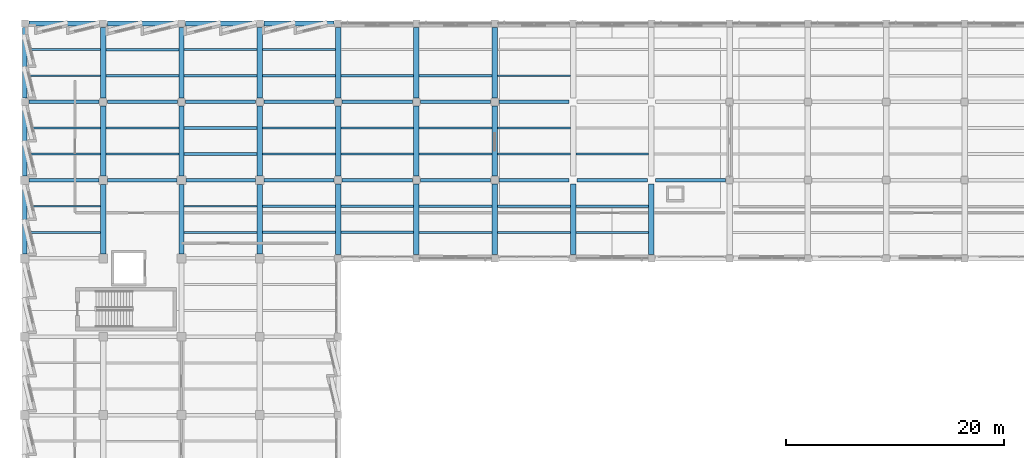
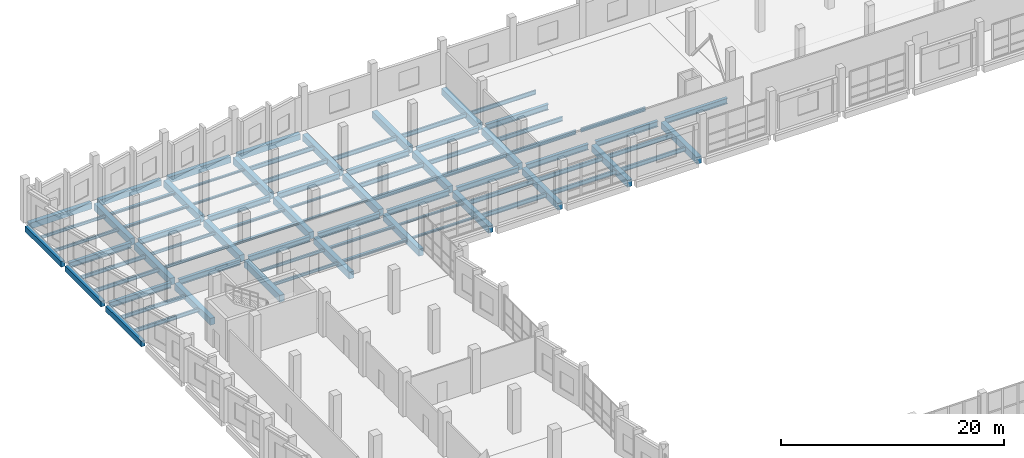
# One storey, part 51 of 127: 83 beams.
"""IFC4 building model written with IfcOpenShell, lengths in metres."""

from ifc_helpers import new_model, si_unit, direction, frame, origin, origin_2d, place, context, subcontext, project, spatial, rectangle, i_section, extrude, material, material_profile, profile_set, type_object, element, save


model = new_model("IFC4")

# Units and contexts
model_context = context("Model", 3, precision=1e-05, world=origin(), true_north=direction((0.0, 1.0)))
body_context = subcontext(model_context, "Body", "Model", "MODEL_VIEW")
ifc_project = project(units=[si_unit("LENGTHUNIT", "METRE"), si_unit("AREAUNIT", "SQUARE_METRE"), si_unit("VOLUMEUNIT", "CUBIC_METRE"), si_unit("PLANEANGLEUNIT", "RADIAN"), si_unit("MASSUNIT", "GRAM", prefix="KILO")], contexts=[model_context])

# Site, building, storey
site_placement = place(None, origin())
site = spatial("IfcSite", under=ifc_project, at=site_placement, CompositionType="ELEMENT")
building_placement = place(site_placement, origin())
building = spatial("IfcBuilding", under=site, at=building_placement, Name="Kalmorath City Hall", CompositionType="ELEMENT")
storey_placement = place(building_placement, frame((0.0, 0.0, 5.39990234375)))
storey = spatial("IfcBuildingStorey", under=building, at=storey_placement, Name="L01", CompositionType="ELEMENT", Elevation=5.39990234375)

# Beams
ifc_material_1 = material(Name="Concrete C40/50", Category="concrete")
ifc_material_profile_1 = material_profile(ifc_material_1, rectangle(XDim=0.39990234375, YDim=0.60009765625, at=origin_2d()), Name="RC-BM-400X600")
ifc_profile_set_1 = profile_set([ifc_material_profile_1], Name="Concrete C40/50")
beam_type_1 = type_object("IfcBeamType", Name="Concrete edge beam 400x600", PredefinedType="SPANDREL", material=ifc_profile_set_1)
beam_1_placement = place(storey_placement, frame((0.0, 94.0, -0.6240234375), z_axis=(0.0, 1.0, 0.0), x_axis=(-1.0, 0.0, 0.0)))
element("IfcBeam", 1, at=beam_1_placement, inside=storey, type_object=beam_type_1, Name="L01 girder CB6 Y1/14-15", PredefinedType="SPANDREL", context=body_context, shape_type="SweptSolid", body=[
    extrude(rectangle(XDim=0.39990234375, YDim=0.60009765625, at=origin_2d()), origin(), (0.0, 0.0, 1.0), 6.39990234375),
])
beam_2_placement = place(storey_placement, frame((0.0, 101.199951171875, -0.6240234375), z_axis=(0.0, 1.0, 0.0), x_axis=(-1.0, 0.0, 0.0)))
element("IfcBeam", 2, at=beam_2_placement, inside=storey, type_object=beam_type_1, Name="L01 girder CB6 Y1/15-16", PredefinedType="SPANDREL", context=body_context, shape_type="SweptSolid", body=[
    extrude(rectangle(XDim=0.39990234375, YDim=0.60009765625, at=origin_2d()), origin(), (0.0, 0.0, 1.0), 6.425048828125),
])
beam_3_placement = place(storey_placement, frame((0.0, 108.375, -0.6240234375), z_axis=(0.0, 1.0, 0.0), x_axis=(-1.0, 0.0, 0.0)))
element("IfcBeam", 3, at=beam_3_placement, inside=storey, type_object=beam_type_1, Name="L01 girder CB6 Y1/16-17", PredefinedType="SPANDREL", context=body_context, shape_type="SweptSolid", body=[
    extrude(rectangle(XDim=0.39990234375, YDim=0.60009765625, at=origin_2d()), origin(), (0.0, 0.0, 1.0), 6.449951171875),
])
ifc_material_2 = material(Name="Concrete C40/50", Category="concrete")
ifc_material_profile_2 = material_profile(ifc_material_2, rectangle(XDim=0.5, YDim=0.75, at=origin_2d()), Name="RC-BM-500X750")
ifc_profile_set_2 = profile_set([ifc_material_profile_2], Name="Concrete C40/50")
beam_type_2 = type_object("IfcBeamType", Name="Concrete floor beam 500x750", PredefinedType="BEAM", material=ifc_profile_set_2)
beam_4_placement = place(storey_placement, frame((7.199951171875, 94.0, -0.698974609375), z_axis=(0.0, 1.0, 0.0), x_axis=(-1.0, 0.0, 0.0)))
element("IfcBeam", 4, at=beam_4_placement, inside=storey, type_object=beam_type_2, Name="L01 girder CB3 Y2/14-15", PredefinedType="BEAM", context=body_context, shape_type="SweptSolid", body=[
    extrude(rectangle(XDim=0.5, YDim=0.75, at=origin_2d()), origin(), (0.0, 0.0, 1.0), 6.39990234375),
])
beam_5_placement = place(storey_placement, frame((7.199951171875, 101.199951171875, -0.698974609375), z_axis=(0.0, 1.0, 0.0), x_axis=(-1.0, 0.0, 0.0)))
element("IfcBeam", 5, at=beam_5_placement, inside=storey, type_object=beam_type_2, Name="L01 girder CB3 Y2/15-16", PredefinedType="BEAM", context=body_context, shape_type="SweptSolid", body=[
    extrude(rectangle(XDim=0.5, YDim=0.75, at=origin_2d()), origin(), (0.0, 0.0, 1.0), 6.425048828125),
])
beam_6_placement = place(storey_placement, frame((7.199951171875, 108.375, -0.698974609375), z_axis=(0.0, 1.0, 0.0), x_axis=(-1.0, 0.0, 0.0)))
element("IfcBeam", 6, at=beam_6_placement, inside=storey, type_object=beam_type_2, Name="L01 girder CB3 Y2/16-17", PredefinedType="BEAM", context=body_context, shape_type="SweptSolid", body=[
    extrude(rectangle(XDim=0.5, YDim=0.75, at=origin_2d()), origin(), (0.0, 0.0, 1.0), 6.449951171875),
])
beam_7_placement = place(storey_placement, frame((14.39990234375, 94.0, -0.698974609375), z_axis=(0.0, 1.0, 0.0), x_axis=(-1.0, 0.0, 0.0)))
element("IfcBeam", 7, at=beam_7_placement, inside=storey, type_object=beam_type_2, Name="L01 girder CB3 Y3/14-15", PredefinedType="BEAM", context=body_context, shape_type="SweptSolid", body=[
    extrude(rectangle(XDim=0.5, YDim=0.75, at=origin_2d()), origin(), (0.0, 0.0, 1.0), 6.39990234375),
])
beam_8_placement = place(storey_placement, frame((14.39990234375, 101.199951171875, -0.698974609375), z_axis=(0.0, 1.0, 0.0), x_axis=(-1.0, 0.0, 0.0)))
element("IfcBeam", 8, at=beam_8_placement, inside=storey, type_object=beam_type_2, Name="L01 girder CB3 Y3/15-16", PredefinedType="BEAM", context=body_context, shape_type="SweptSolid", body=[
    extrude(rectangle(XDim=0.5, YDim=0.75, at=origin_2d()), origin(), (0.0, 0.0, 1.0), 6.425048828125),
])
beam_9_placement = place(storey_placement, frame((14.39990234375, 108.375, -0.698974609375), z_axis=(0.0, 1.0, 0.0), x_axis=(-1.0, 0.0, 0.0)))
element("IfcBeam", 9, at=beam_9_placement, inside=storey, type_object=beam_type_2, Name="L01 girder CB3 Y3/16-17", PredefinedType="BEAM", context=body_context, shape_type="SweptSolid", body=[
    extrude(rectangle(XDim=0.5, YDim=0.75, at=origin_2d()), origin(), (0.0, 0.0, 1.0), 6.449951171875),
])
beam_10_placement = place(storey_placement, frame((21.60009765625, 94.0, -0.698974609375), z_axis=(0.0, 1.0, 0.0), x_axis=(-1.0, 0.0, 0.0)))
element("IfcBeam", 10, at=beam_10_placement, inside=storey, type_object=beam_type_2, Name="L01 girder CB3 Y4/14-15", PredefinedType="BEAM", context=body_context, shape_type="SweptSolid", body=[
    extrude(rectangle(XDim=0.5, YDim=0.75, at=origin_2d()), origin(), (0.0, 0.0, 1.0), 6.39990234375),
])
beam_11_placement = place(storey_placement, frame((21.60009765625, 101.199951171875, -0.698974609375), z_axis=(0.0, 1.0, 0.0), x_axis=(-1.0, 0.0, 0.0)))
element("IfcBeam", 11, at=beam_11_placement, inside=storey, type_object=beam_type_2, Name="L01 girder CB3 Y4/15-16", PredefinedType="BEAM", context=body_context, shape_type="SweptSolid", body=[
    extrude(rectangle(XDim=0.5, YDim=0.75, at=origin_2d()), origin(), (0.0, 0.0, 1.0), 6.425048828125),
])
for number, where, z_axis, x_axis, name in (
    (12, (21.60009765625, 108.375, -0.698974609375), (0.0, 1.0, 0.0), (-1.0, 0.0, 0.0), "L01 girder CB3 Y4/16-17"),
    (13, (28.800048828125, 93.97509765625, -0.698974609375), (0.0, 1.0, 0.0), (-1.0, 0.0, 0.0), "L01 girder CB3 Y5/14-15"),
    (14, (28.800048828125, 101.175048828125, -0.698974609375), (0.0, 1.0, 0.0), (-1.0, 0.0, 0.0), "L01 girder CB3 Y5/15-16"),
    (15, (28.800048828125, 108.375, -0.698974609375), (0.0, 1.0, 0.0), (-1.0, 0.0, 0.0), "L01 girder CB3 Y5/16-17"),
    (16, (36.0, 93.97509765625, -0.698974609375), (0.0, 1.0, 0.0), (-1.0, 0.0, 0.0), "L01 girder CB3 Y6/14-15"),
    (17, (36.0, 101.175048828125, -0.698974609375), (0.0, 1.0, 0.0), (-1.0, 0.0, 0.0), "L01 girder CB3 Y6/15-16"),
    (18, (36.0, 108.375, -0.698974609375), (0.0, 1.0, 0.0), (-1.0, 0.0, 0.0), "L01 girder CB3 Y6/16-17"),
    (19, (43.199951171875, 93.97509765625, -0.698974609375), (0.0, 1.0, 0.0), (-1.0, 0.0, 0.0), "L01 girder CB3 Y7/14-15"),
    (20, (43.199951171875, 101.175048828125, -0.698974609375), (0.0, 1.0, 0.0), (-1.0, 0.0, 0.0), "L01 girder CB3 Y7/15-16"),
    (21, (43.199951171875, 108.375, -0.698974609375), (0.0, 1.0, 0.0), (-1.0, 0.0, 0.0), "L01 girder CB3 Y7/16-17"),
    (22, (50.39990234375, 93.97509765625, -0.698974609375), (0.0, 1.0, 0.0), (-1.0, 0.0, 0.0), "L01 girder CB3 Y8/14-15"),
    (23, (57.60009765625, 93.97509765625, -0.698974609375), (0.0, 1.0, 0.0), (-1.0, 0.0, 0.0), "L01 girder CB3 Y9/14-15"),
):
    element("IfcBeam", number, at=place(storey_placement, frame(where, z_axis=z_axis, x_axis=x_axis)), inside=storey, type_object=beam_type_2, Name=name, PredefinedType="BEAM", context=body_context, shape_type="SweptSolid", body=[
        extrude(rectangle(XDim=0.5, YDim=0.75, at=origin_2d()), origin(), (0.0, 0.0, 1.0), 6.449951171875),
    ])
ifc_material_3 = material(Name="Concrete C40/50", Category="concrete")
ifc_material_profile_3 = material_profile(ifc_material_3, rectangle(XDim=0.449951171875, YDim=0.64990234375, at=origin_2d()), Name="RC-BM-450X650")
ifc_profile_set_3 = profile_set([ifc_material_profile_3], Name="Concrete C40/50")
beam_type_3 = type_object("IfcBeamType", Name="Concrete spandrel beam 450x650", PredefinedType="SPANDREL", material=ifc_profile_set_3)
for number, where, z_axis, x_axis, name in (
    (24, (0.375, 115.199951171875, -0.64892578125), (1.0, 0.0, 0.0), (0.0, 1.0, 0.0), "L01 girder CB5 X1-2/17"),
    (25, (7.574951171875, 115.199951171875, -0.64892578125), (1.0, 0.0, 0.0), (0.0, 1.0, 0.0), "L01 girder CB5 X2-3/17"),
):
    element("IfcBeam", number, at=place(storey_placement, frame(where, z_axis=z_axis, x_axis=x_axis)), inside=storey, type_object=beam_type_3, Name=name, PredefinedType="SPANDREL", context=body_context, shape_type="SweptSolid", body=[
        extrude(rectangle(XDim=0.449951171875, YDim=0.64990234375, at=origin_2d()), origin(), (0.0, 0.0, 1.0), 6.449951171875),
    ])
beam_12_placement = place(storey_placement, frame((14.77490234375, 115.199951171875, -0.64892578125), z_axis=(1.0, 0.0, 0.0), x_axis=(0.0, 1.0, 0.0)))
element("IfcBeam", 26, at=beam_12_placement, inside=storey, type_object=beam_type_3, Name="L01 girder CB5 X3-4/17", PredefinedType="SPANDREL", context=body_context, shape_type="SweptSolid", body=[
    extrude(rectangle(XDim=0.449951171875, YDim=0.64990234375, at=origin_2d()), origin(), (0.0, 0.0, 1.0), 6.4501953125),
])
beam_13_placement = place(storey_placement, frame((21.97509765625, 115.199951171875, -0.64892578125), z_axis=(1.0, 0.0, 0.0), x_axis=(0.0, 1.0, 0.0)))
element("IfcBeam", 27, at=beam_13_placement, inside=storey, type_object=beam_type_3, Name="L01 girder CB5 X4-5/17", PredefinedType="SPANDREL", context=body_context, shape_type="SweptSolid", body=[
    extrude(rectangle(XDim=0.449951171875, YDim=0.64990234375, at=origin_2d()), origin(), (0.0, 0.0, 1.0), 6.449951171875),
])
ifc_material_4 = material(Name="Steel ASTM A992 Grade 50", Category="steel")
ifc_material_profile_4 = material_profile(ifc_material_4, i_section(OverallWidth=0.177001953125, OverallDepth=0.403076171875, WebThickness=0.007568359375, FlangeThickness=0.010986328125, FilletRadius=0.012939453125, at=origin_2d()), Name="W16X36")
ifc_profile_set_4 = profile_set([ifc_material_profile_4], Name="Steel ASTM A992 Grade 50")
beam_type_4 = type_object("IfcBeamType", Name="Steel composite joist W16X36", PredefinedType="JOIST", material=ifc_profile_set_4)
for number, where, z_axis, x_axis, name in (
    (28, (0.199951171875, 103.199951171875, -0.525390625), (1.0, 0.0, 0.0), (0.0, 1.0, 0.0), "L01 joist SJ7 1.15.1"),
    (29, (0.199951171875, 105.60009765625, -0.525390625), (1.0, 0.0, 0.0), (0.0, 1.0, 0.0), "L01 joist SJ7 1.15.2"),
):
    element("IfcBeam", number, at=place(storey_placement, frame(where, z_axis=z_axis, x_axis=x_axis)), inside=storey, type_object=beam_type_4, Name=name, PredefinedType="JOIST", context=body_context, shape_type="SweptSolid", body=[
        extrude(i_section(OverallWidth=0.177001953125, OverallDepth=0.403076171875, WebThickness=0.007568359375, FlangeThickness=0.010986328125, FilletRadius=0.012939453125, at=origin_2d()), origin(), (0.0, 0.0, 1.0), 6.75),
    ])
ifc_material_5 = material(Name="Steel ASTM A992 Grade 50", Category="steel")
ifc_material_profile_5 = material_profile(ifc_material_5, i_section(OverallWidth=0.178955078125, OverallDepth=0.409912109375, WebThickness=0.0087890625, FlangeThickness=0.014404296875, FilletRadius=0.012939453125, at=origin_2d()), Name="W16X45")
ifc_profile_set_5 = profile_set([ifc_material_profile_5], Name="Steel ASTM A992 Grade 50")
beam_type_5 = type_object("IfcBeamType", Name="Steel composite joist W16X45", PredefinedType="JOIST", material=ifc_profile_set_5)
for number, where, z_axis, x_axis, name in (
    (30, (0.199951171875, 96.0, -0.52880859375), (1.0, 0.0, 0.0), (0.0, 1.0, 0.0), "L01 joist SJ6 1.14.1"),
    (31, (0.199951171875, 98.39990234375, -0.52880859375), (1.0, 0.0, 0.0), (0.0, 1.0, 0.0), "L01 joist SJ6 1.14.2"),
):
    element("IfcBeam", number, at=place(storey_placement, frame(where, z_axis=z_axis, x_axis=x_axis)), inside=storey, type_object=beam_type_5, Name=name, PredefinedType="JOIST", context=body_context, shape_type="SweptSolid", body=[
        extrude(i_section(OverallWidth=0.178955078125, OverallDepth=0.409912109375, WebThickness=0.0087890625, FlangeThickness=0.014404296875, FilletRadius=0.012939453125, at=origin_2d()), origin(), (0.0, 0.0, 1.0), 6.75),
    ])
ifc_material_6 = material(Name="Steel ASTM A992 Grade 50", Category="steel")
ifc_material_profile_6 = material_profile(ifc_material_6, i_section(OverallWidth=0.153076171875, OverallDepth=0.455078125, WebThickness=0.008056640625, FlangeThickness=0.01318359375, FilletRadius=0.013916015625, at=origin_2d()), Name="W18X40")
ifc_profile_set_6 = profile_set([ifc_material_profile_6], Name="Steel ASTM A992 Grade 50")
beam_type_6 = type_object("IfcBeamType", Name="Steel composite joist W18X40", PredefinedType="JOIST", material=ifc_profile_set_6)
beam_14_placement = place(storey_placement, frame((43.449951171875, 110.39990234375, -0.551513671875), z_axis=(1.0, 0.0, 0.0), x_axis=(0.0, 1.0, 0.0)))
element("IfcBeam", 32, at=beam_14_placement, inside=storey, type_object=beam_type_6, Name="L01 joist SJ4 7.16.1", PredefinedType="JOIST", context=body_context, shape_type="SweptSolid", body=[
    extrude(i_section(OverallWidth=0.153076171875, OverallDepth=0.455078125, WebThickness=0.008056640625, FlangeThickness=0.01318359375, FilletRadius=0.013916015625, at=origin_2d()), origin(), (0.0, 0.0, 1.0), 6.699951171875),
])
beam_15_placement = place(storey_placement, frame((50.64990234375, 103.199951171875, -0.551513671875), z_axis=(1.0, 0.0, 0.0), x_axis=(0.0, 1.0, 0.0)))
element("IfcBeam", 33, at=beam_15_placement, inside=storey, type_object=beam_type_6, Name="L01 joist SJ4 8.15.1", PredefinedType="JOIST", context=body_context, shape_type="SweptSolid", body=[
    extrude(i_section(OverallWidth=0.153076171875, OverallDepth=0.455078125, WebThickness=0.008056640625, FlangeThickness=0.01318359375, FilletRadius=0.013916015625, at=origin_2d()), origin(), (0.0, 0.0, 1.0), 6.7001953125),
])
ifc_material_7 = material(Name="Steel ASTM A992 Grade 50", Category="steel")
ifc_material_profile_7 = material_profile(ifc_material_7, i_section(OverallWidth=0.19091796875, OverallDepth=0.45703125, WebThickness=0.009033203125, FlangeThickness=0.014404296875, FilletRadius=0.013916015625, at=origin_2d()), Name="W18X50")
ifc_profile_set_7 = profile_set([ifc_material_profile_7], Name="Steel ASTM A992 Grade 50")
beam_type_7 = type_object("IfcBeamType", Name="Steel composite joist W18X50", PredefinedType="JOIST", material=ifc_profile_set_7)
for number, where, z_axis, x_axis, name in (
    (34, (36.25, 110.39990234375, -0.552490234375), (1.0, 0.0, 0.0), (0.0, 1.0, 0.0), "L01 joist SJ3 6.16.1"),
    (35, (43.449951171875, 103.199951171875, -0.552490234375), (1.0, 0.0, 0.0), (0.0, 1.0, 0.0), "L01 joist SJ3 7.15.1"),
    (36, (43.449951171875, 105.60009765625, -0.552490234375), (1.0, 0.0, 0.0), (0.0, 1.0, 0.0), "L01 joist SJ3 7.15.2"),
):
    element("IfcBeam", number, at=place(storey_placement, frame(where, z_axis=z_axis, x_axis=x_axis)), inside=storey, type_object=beam_type_7, Name=name, PredefinedType="JOIST", context=body_context, shape_type="SweptSolid", body=[
        extrude(i_section(OverallWidth=0.19091796875, OverallDepth=0.45703125, WebThickness=0.009033203125, FlangeThickness=0.014404296875, FilletRadius=0.013916015625, at=origin_2d()), origin(), (0.0, 0.0, 1.0), 6.699951171875),
    ])
for number, where, z_axis, x_axis, name in (
    (37, (50.64990234375, 96.0, -0.552490234375), (1.0, 0.0, 0.0), (0.0, 1.0, 0.0), "L01 joist SJ3 8.14.1"),
    (38, (50.64990234375, 98.39990234375, -0.552490234375), (1.0, 0.0, 0.0), (0.0, 1.0, 0.0), "L01 joist SJ3 8.14.2"),
):
    element("IfcBeam", number, at=place(storey_placement, frame(where, z_axis=z_axis, x_axis=x_axis)), inside=storey, type_object=beam_type_7, Name=name, PredefinedType="JOIST", context=body_context, shape_type="SweptSolid", body=[
        extrude(i_section(OverallWidth=0.19091796875, OverallDepth=0.45703125, WebThickness=0.009033203125, FlangeThickness=0.014404296875, FilletRadius=0.013916015625, at=origin_2d()), origin(), (0.0, 0.0, 1.0), 6.7001953125),
    ])
ifc_material_8 = material(Name="Steel ASTM A992 Grade 50", Category="steel")
ifc_material_profile_8 = material_profile(ifc_material_8, i_section(OverallWidth=0.19091796875, OverallDepth=0.4599609375, WebThickness=0.010009765625, FlangeThickness=0.01611328125, FilletRadius=0.013916015625, at=origin_2d()), Name="W18X55")
ifc_profile_set_8 = profile_set([ifc_material_profile_8], Name="Steel ASTM A992 Grade 50")
beam_type_8 = type_object("IfcBeamType", Name="Steel composite joist W18X55", PredefinedType="JOIST", material=ifc_profile_set_8)
for number, where, z_axis, x_axis, name in (
    (39, (29.050048828125, 110.39990234375, -0.553955078125), (1.0, 0.0, 0.0), (0.0, 1.0, 0.0), "L01 joist SJ2 5.16.1"),
    (40, (36.25, 103.199951171875, -0.553955078125), (1.0, 0.0, 0.0), (0.0, 1.0, 0.0), "L01 joist SJ2 6.15.1"),
    (41, (36.25, 105.60009765625, -0.553955078125), (1.0, 0.0, 0.0), (0.0, 1.0, 0.0), "L01 joist SJ2 6.15.2"),
    (42, (43.449951171875, 96.0, -0.553955078125), (1.0, 0.0, 0.0), (0.0, 1.0, 0.0), "L01 joist SJ2 7.14.1"),
    (43, (43.449951171875, 98.39990234375, -0.553955078125), (1.0, 0.0, 0.0), (0.0, 1.0, 0.0), "L01 joist SJ2 7.14.2"),
):
    element("IfcBeam", number, at=place(storey_placement, frame(where, z_axis=z_axis, x_axis=x_axis)), inside=storey, type_object=beam_type_8, Name=name, PredefinedType="JOIST", context=body_context, shape_type="SweptSolid", body=[
        extrude(i_section(OverallWidth=0.19091796875, OverallDepth=0.4599609375, WebThickness=0.010009765625, FlangeThickness=0.01611328125, FilletRadius=0.013916015625, at=origin_2d()), origin(), (0.0, 0.0, 1.0), 6.699951171875),
    ])
ifc_material_9 = material(Name="Steel ASTM A992 Grade 50", Category="steel")
ifc_material_profile_9 = material_profile(ifc_material_9, i_section(OverallWidth=0.193115234375, OverallDepth=0.466064453125, WebThickness=0.011474609375, FlangeThickness=0.01904296875, FilletRadius=0.013916015625, at=origin_2d()), Name="W18X65")
ifc_profile_set_9 = profile_set([ifc_material_profile_9], Name="Steel ASTM A992 Grade 50")
beam_type_9 = type_object("IfcBeamType", Name="Steel composite joist W18X65", PredefinedType="JOIST", material=ifc_profile_set_9)
for number, where, z_axis, x_axis, name in (
    (44, (21.85009765625, 110.39990234375, -0.556884765625), (1.0, 0.0, 0.0), (0.0, 1.0, 0.0), "L01 joist SJ1 4.16.1"),
    (45, (21.85009765625, 112.800048828125, -0.556884765625), (1.0, 0.0, 0.0), (0.0, 1.0, 0.0), "L01 joist SJ1 4.16.2"),
    (46, (29.050048828125, 103.199951171875, -0.556884765625), (1.0, 0.0, 0.0), (0.0, 1.0, 0.0), "L01 joist SJ1 5.15.1"),
    (47, (29.050048828125, 105.60009765625, -0.556884765625), (1.0, 0.0, 0.0), (0.0, 1.0, 0.0), "L01 joist SJ1 5.15.2"),
    (48, (36.25, 96.0, -0.556884765625), (1.0, 0.0, 0.0), (0.0, 1.0, 0.0), "L01 joist SJ1 6.14.1"),
    (49, (36.25, 98.39990234375, -0.556884765625), (1.0, 0.0, 0.0), (0.0, 1.0, 0.0), "L01 joist SJ1 6.14.2"),
):
    element("IfcBeam", number, at=place(storey_placement, frame(where, z_axis=z_axis, x_axis=x_axis)), inside=storey, type_object=beam_type_9, Name=name, PredefinedType="JOIST", context=body_context, shape_type="SweptSolid", body=[
        extrude(i_section(OverallWidth=0.193115234375, OverallDepth=0.466064453125, WebThickness=0.011474609375, FlangeThickness=0.01904296875, FilletRadius=0.013916015625, at=origin_2d()), origin(), (0.0, 0.0, 1.0), 6.699951171875),
    ])
ifc_material_10 = material(Name="Steel ASTM A992 Grade 50", Category="steel")
ifc_material_profile_10 = material_profile(ifc_material_10, i_section(OverallWidth=0.202880859375, OverallDepth=0.202880859375, WebThickness=0.007080078125, FlangeThickness=0.010986328125, FilletRadius=0.010986328125, at=origin_2d()), Name="W8X31")
ifc_profile_set_10 = profile_set([ifc_material_profile_10], Name="Steel ASTM A992 Grade 50")
beam_type_10 = type_object("IfcBeamType", Name="Steel edge trimmer W8X31", PredefinedType="LINTEL", material=ifc_profile_set_10)
for number, where, z_axis, x_axis, name in (
    (50, (14.64990234375, 110.39990234375, -0.42529296875), (1.0, 0.0, 0.0), (0.0, 1.0, 0.0), "L01 joist SJ16 3.16.1"),
    (51, (14.64990234375, 112.800048828125, -0.42529296875), (1.0, 0.0, 0.0), (0.0, 1.0, 0.0), "L01 joist SJ16 3.16.2"),
):
    element("IfcBeam", number, at=place(storey_placement, frame(where, z_axis=z_axis, x_axis=x_axis)), inside=storey, type_object=beam_type_10, Name=name, PredefinedType="LINTEL", context=body_context, shape_type="SweptSolid", body=[
        extrude(i_section(OverallWidth=0.202880859375, OverallDepth=0.202880859375, WebThickness=0.007080078125, FlangeThickness=0.010986328125, FilletRadius=0.010986328125, at=origin_2d()), origin(), (0.0, 0.0, 1.0), 6.7001953125),
    ])
for number, where, z_axis, x_axis, name in (
    (52, (21.85009765625, 103.199951171875, -0.42529296875), (1.0, 0.0, 0.0), (0.0, 1.0, 0.0), "L01 joist SJ16 4.15.1"),
    (53, (21.85009765625, 105.60009765625, -0.42529296875), (1.0, 0.0, 0.0), (0.0, 1.0, 0.0), "L01 joist SJ16 4.15.2"),
    (54, (29.050048828125, 96.0, -0.42529296875), (1.0, 0.0, 0.0), (0.0, 1.0, 0.0), "L01 joist SJ16 5.14.1"),
    (55, (29.050048828125, 98.39990234375, -0.42529296875), (1.0, 0.0, 0.0), (0.0, 1.0, 0.0), "L01 joist SJ16 5.14.2"),
):
    element("IfcBeam", number, at=place(storey_placement, frame(where, z_axis=z_axis, x_axis=x_axis)), inside=storey, type_object=beam_type_10, Name=name, PredefinedType="LINTEL", context=body_context, shape_type="SweptSolid", body=[
        extrude(i_section(OverallWidth=0.202880859375, OverallDepth=0.202880859375, WebThickness=0.007080078125, FlangeThickness=0.010986328125, FilletRadius=0.010986328125, at=origin_2d()), origin(), (0.0, 0.0, 1.0), 6.699951171875),
    ])
ifc_material_11 = material(Name="Steel ASTM A992 Grade 50", Category="steel")
ifc_material_profile_11 = material_profile(ifc_material_11, i_section(OverallWidth=0.323974609375, OverallDepth=0.611083984375, WebThickness=0.0126953125, FlangeThickness=0.01904296875, FilletRadius=0.01611328125, at=origin_2d()), Name="W24X104")
ifc_profile_set_11 = profile_set([ifc_material_profile_11], Name="Steel ASTM A992 Grade 50")
beam_type_11 = type_object("IfcBeamType", Name="Steel floor girder W24X104", PredefinedType="BEAM", material=ifc_profile_set_11)
beam_16_placement = place(storey_placement, frame((0.39990234375, 100.800048828125, -0.62939453125), z_axis=(1.0, 0.0, 0.0), x_axis=(0.0, 1.0, 0.0)))
element("IfcBeam", 56, at=beam_16_placement, inside=storey, type_object=beam_type_11, Name="L01 girder SG7 X1-2/15", PredefinedType="BEAM", context=body_context, shape_type="SweptSolid", body=[
    extrude(i_section(OverallWidth=0.323974609375, OverallDepth=0.611083984375, WebThickness=0.0126953125, FlangeThickness=0.01904296875, FilletRadius=0.01611328125, at=origin_2d()), origin(), (0.0, 0.0, 1.0), 6.400146484375),
])
for number, where, z_axis, x_axis, name in (
    (57, (7.60009765625, 100.800048828125, -0.62939453125), (1.0, 0.0, 0.0), (0.0, 1.0, 0.0), "L01 girder SG7 X2-3/15"),
    (58, (14.800048828125, 100.800048828125, -0.62939453125), (1.0, 0.0, 0.0), (0.0, 1.0, 0.0), "L01 girder SG7 X3-4/15"),
):
    element("IfcBeam", number, at=place(storey_placement, frame(where, z_axis=z_axis, x_axis=x_axis)), inside=storey, type_object=beam_type_11, Name=name, PredefinedType="BEAM", context=body_context, shape_type="SweptSolid", body=[
        extrude(i_section(OverallWidth=0.323974609375, OverallDepth=0.611083984375, WebThickness=0.0126953125, FlangeThickness=0.01904296875, FilletRadius=0.01611328125, at=origin_2d()), origin(), (0.0, 0.0, 1.0), 6.39990234375),
    ])
beam_17_placement = place(storey_placement, frame((22.0, 100.800048828125, -0.62939453125), z_axis=(1.0, 0.0, 0.0), x_axis=(0.0, 1.0, 0.0)))
element("IfcBeam", 59, at=beam_17_placement, inside=storey, type_object=beam_type_11, Name="L01 girder SG7 X4-5/15", PredefinedType="BEAM", context=body_context, shape_type="SweptSolid", body=[
    extrude(i_section(OverallWidth=0.323974609375, OverallDepth=0.611083984375, WebThickness=0.0126953125, FlangeThickness=0.01904296875, FilletRadius=0.01611328125, at=origin_2d()), origin(), (0.0, 0.0, 1.0), 6.425048828125),
])
for number, where, z_axis, x_axis, name in (
    (60, (29.175048828125, 100.800048828125, -0.62939453125), (1.0, 0.0, 0.0), (0.0, 1.0, 0.0), "L01 girder SG7 X5-6/15"),
    (61, (36.375, 100.800048828125, -0.62939453125), (1.0, 0.0, 0.0), (0.0, 1.0, 0.0), "L01 girder SG7 X6-7/15"),
    (62, (43.574951171875, 100.800048828125, -0.62939453125), (1.0, 0.0, 0.0), (0.0, 1.0, 0.0), "L01 girder SG7 X7-8/15"),
):
    element("IfcBeam", number, at=place(storey_placement, frame(where, z_axis=z_axis, x_axis=x_axis)), inside=storey, type_object=beam_type_11, Name=name, PredefinedType="BEAM", context=body_context, shape_type="SweptSolid", body=[
        extrude(i_section(OverallWidth=0.323974609375, OverallDepth=0.611083984375, WebThickness=0.0126953125, FlangeThickness=0.01904296875, FilletRadius=0.01611328125, at=origin_2d()), origin(), (0.0, 0.0, 1.0), 6.449951171875),
    ])
beam_18_placement = place(storey_placement, frame((50.77490234375, 100.800048828125, -0.62939453125), z_axis=(1.0, 0.0, 0.0), x_axis=(0.0, 1.0, 0.0)))
element("IfcBeam", 63, at=beam_18_placement, inside=storey, type_object=beam_type_11, Name="L01 girder SG7 X8-9/15", PredefinedType="BEAM", context=body_context, shape_type="SweptSolid", body=[
    extrude(i_section(OverallWidth=0.323974609375, OverallDepth=0.611083984375, WebThickness=0.0126953125, FlangeThickness=0.01904296875, FilletRadius=0.01611328125, at=origin_2d()), origin(), (0.0, 0.0, 1.0), 6.4501953125),
])
for number, where, z_axis, x_axis, name in (
    (64, (57.97509765625, 100.800048828125, -0.62939453125), (1.0, 0.0, 0.0), (0.0, 1.0, 0.0), "L01 girder SG7 X9-10/15"),
    (65, (0.375, 108.0, -0.62939453125), (1.0, 0.0, 0.0), (0.0, 1.0, 0.0), "L01 girder SG7 X1-2/16"),
    (66, (7.574951171875, 108.0, -0.62939453125), (1.0, 0.0, 0.0), (0.0, 1.0, 0.0), "L01 girder SG7 X2-3/16"),
):
    element("IfcBeam", number, at=place(storey_placement, frame(where, z_axis=z_axis, x_axis=x_axis)), inside=storey, type_object=beam_type_11, Name=name, PredefinedType="BEAM", context=body_context, shape_type="SweptSolid", body=[
        extrude(i_section(OverallWidth=0.323974609375, OverallDepth=0.611083984375, WebThickness=0.0126953125, FlangeThickness=0.01904296875, FilletRadius=0.01611328125, at=origin_2d()), origin(), (0.0, 0.0, 1.0), 6.449951171875),
    ])
beam_19_placement = place(storey_placement, frame((14.77490234375, 108.0, -0.62939453125), z_axis=(1.0, 0.0, 0.0), x_axis=(0.0, 1.0, 0.0)))
element("IfcBeam", 67, at=beam_19_placement, inside=storey, type_object=beam_type_11, Name="L01 girder SG7 X3-4/16", PredefinedType="BEAM", context=body_context, shape_type="SweptSolid", body=[
    extrude(i_section(OverallWidth=0.323974609375, OverallDepth=0.611083984375, WebThickness=0.0126953125, FlangeThickness=0.01904296875, FilletRadius=0.01611328125, at=origin_2d()), origin(), (0.0, 0.0, 1.0), 6.4501953125),
])
for number, where, z_axis, x_axis, name in (
    (68, (21.97509765625, 108.0, -0.62939453125), (1.0, 0.0, 0.0), (0.0, 1.0, 0.0), "L01 girder SG7 X4-5/16"),
    (69, (29.175048828125, 108.0, -0.62939453125), (1.0, 0.0, 0.0), (0.0, 1.0, 0.0), "L01 girder SG7 X5-6/16"),
    (70, (36.375, 108.0, -0.62939453125), (1.0, 0.0, 0.0), (0.0, 1.0, 0.0), "L01 girder SG7 X6-7/16"),
    (71, (43.574951171875, 108.0, -0.62939453125), (1.0, 0.0, 0.0), (0.0, 1.0, 0.0), "L01 girder SG7 X7-8/16"),
):
    element("IfcBeam", number, at=place(storey_placement, frame(where, z_axis=z_axis, x_axis=x_axis)), inside=storey, type_object=beam_type_11, Name=name, PredefinedType="BEAM", context=body_context, shape_type="SweptSolid", body=[
        extrude(i_section(OverallWidth=0.323974609375, OverallDepth=0.611083984375, WebThickness=0.0126953125, FlangeThickness=0.01904296875, FilletRadius=0.01611328125, at=origin_2d()), origin(), (0.0, 0.0, 1.0), 6.449951171875),
    ])
ifc_material_12 = material(Name="Steel ASTM A992 Grade 50", Category="steel")
ifc_material_profile_12 = material_profile(ifc_material_12, i_section(OverallWidth=0.1669921875, OverallDepth=0.318115234375, WebThickness=0.007568359375, FlangeThickness=0.01318359375, FilletRadius=0.012939453125, at=origin_2d()), Name="W12X35")
ifc_profile_set_12 = profile_set([ifc_material_profile_12], Name="Steel ASTM A992 Grade 50")
beam_type_12 = type_object("IfcBeamType", Name="Steel header lintel W12X35", PredefinedType="LINTEL", material=ifc_profile_set_12)
for number, where, z_axis, x_axis, name in (
    (72, (0.199951171875, 110.39990234375, -0.48291015625), (1.0, 0.0, 0.0), (0.0, 1.0, 0.0), "L01 joist SJ13 1.16.1"),
    (73, (0.199951171875, 112.800048828125, -0.48291015625), (1.0, 0.0, 0.0), (0.0, 1.0, 0.0), "L01 joist SJ13 1.16.2"),
):
    element("IfcBeam", number, at=place(storey_placement, frame(where, z_axis=z_axis, x_axis=x_axis)), inside=storey, type_object=beam_type_12, Name=name, PredefinedType="LINTEL", context=body_context, shape_type="SweptSolid", body=[
        extrude(i_section(OverallWidth=0.1669921875, OverallDepth=0.318115234375, WebThickness=0.007568359375, FlangeThickness=0.01318359375, FilletRadius=0.012939453125, at=origin_2d()), origin(), (0.0, 0.0, 1.0), 6.75),
    ])
for number, where, z_axis, x_axis, name in (
    (74, (7.449951171875, 103.199951171875, -0.48291015625), (1.0, 0.0, 0.0), (0.0, 1.0, 0.0), "L01 joist SJ13 2.15.1"),
    (75, (7.449951171875, 105.60009765625, -0.48291015625), (1.0, 0.0, 0.0), (0.0, 1.0, 0.0), "L01 joist SJ13 2.15.2"),
):
    element("IfcBeam", number, at=place(storey_placement, frame(where, z_axis=z_axis, x_axis=x_axis)), inside=storey, type_object=beam_type_12, Name=name, PredefinedType="LINTEL", context=body_context, shape_type="SweptSolid", body=[
        extrude(i_section(OverallWidth=0.1669921875, OverallDepth=0.318115234375, WebThickness=0.007568359375, FlangeThickness=0.01318359375, FilletRadius=0.012939453125, at=origin_2d()), origin(), (0.0, 0.0, 1.0), 6.699951171875),
    ])
for number, where, z_axis, x_axis, name in (
    (76, (14.64990234375, 96.0, -0.48291015625), (1.0, 0.0, 0.0), (0.0, 1.0, 0.0), "L01 joist SJ13 3.14.1"),
    (77, (14.64990234375, 98.39990234375, -0.48291015625), (1.0, 0.0, 0.0), (0.0, 1.0, 0.0), "L01 joist SJ13 3.14.2"),
):
    element("IfcBeam", number, at=place(storey_placement, frame(where, z_axis=z_axis, x_axis=x_axis)), inside=storey, type_object=beam_type_12, Name=name, PredefinedType="LINTEL", context=body_context, shape_type="SweptSolid", body=[
        extrude(i_section(OverallWidth=0.1669921875, OverallDepth=0.318115234375, WebThickness=0.007568359375, FlangeThickness=0.01318359375, FilletRadius=0.012939453125, at=origin_2d()), origin(), (0.0, 0.0, 1.0), 6.7001953125),
    ])
ifc_material_13 = material(Name="Steel ASTM A992 Grade 50", Category="steel")
ifc_material_profile_13 = material_profile(ifc_material_13, i_section(OverallWidth=0.25390625, OverallDepth=0.2529296875, WebThickness=0.008544921875, FlangeThickness=0.01416015625, FilletRadius=0.011962890625, at=origin_2d()), Name="W10X49")
ifc_profile_set_13 = profile_set([ifc_material_profile_13], Name="Steel ASTM A992 Grade 50")
beam_type_13 = type_object("IfcBeamType", Name="Steel trimmer beam W10X49", PredefinedType="BEAM", material=ifc_profile_set_13)
for number, where, z_axis, x_axis, name in (
    (78, (7.449951171875, 110.39990234375, -0.450439453125), (1.0, 0.0, 0.0), (0.0, 1.0, 0.0), "L01 joist SJ14 2.16.1"),
    (79, (7.449951171875, 112.800048828125, -0.450439453125), (1.0, 0.0, 0.0), (0.0, 1.0, 0.0), "L01 joist SJ14 2.16.2"),
):
    element("IfcBeam", number, at=place(storey_placement, frame(where, z_axis=z_axis, x_axis=x_axis)), inside=storey, type_object=beam_type_13, Name=name, PredefinedType="BEAM", context=body_context, shape_type="SweptSolid", body=[
        extrude(i_section(OverallWidth=0.25390625, OverallDepth=0.2529296875, WebThickness=0.008544921875, FlangeThickness=0.01416015625, FilletRadius=0.011962890625, at=origin_2d()), origin(), (0.0, 0.0, 1.0), 6.699951171875),
    ])
for number, where, z_axis, x_axis, name in (
    (80, (14.64990234375, 103.199951171875, -0.450439453125), (1.0, 0.0, 0.0), (0.0, 1.0, 0.0), "L01 joist SJ14 3.15.1"),
    (81, (14.64990234375, 105.60009765625, -0.450439453125), (1.0, 0.0, 0.0), (0.0, 1.0, 0.0), "L01 joist SJ14 3.15.2"),
):
    element("IfcBeam", number, at=place(storey_placement, frame(where, z_axis=z_axis, x_axis=x_axis)), inside=storey, type_object=beam_type_13, Name=name, PredefinedType="BEAM", context=body_context, shape_type="SweptSolid", body=[
        extrude(i_section(OverallWidth=0.25390625, OverallDepth=0.2529296875, WebThickness=0.008544921875, FlangeThickness=0.01416015625, FilletRadius=0.011962890625, at=origin_2d()), origin(), (0.0, 0.0, 1.0), 6.7001953125),
    ])
for number, where, z_axis, x_axis, name in (
    (82, (21.85009765625, 96.0, -0.450439453125), (1.0, 0.0, 0.0), (0.0, 1.0, 0.0), "L01 joist SJ14 4.14.1"),
    (83, (21.85009765625, 98.39990234375, -0.450439453125), (1.0, 0.0, 0.0), (0.0, 1.0, 0.0), "L01 joist SJ14 4.14.2"),
):
    element("IfcBeam", number, at=place(storey_placement, frame(where, z_axis=z_axis, x_axis=x_axis)), inside=storey, type_object=beam_type_13, Name=name, PredefinedType="BEAM", context=body_context, shape_type="SweptSolid", body=[
        extrude(i_section(OverallWidth=0.25390625, OverallDepth=0.2529296875, WebThickness=0.008544921875, FlangeThickness=0.01416015625, FilletRadius=0.011962890625, at=origin_2d()), origin(), (0.0, 0.0, 1.0), 6.699951171875),
    ])

save(model, "model.ifc")
